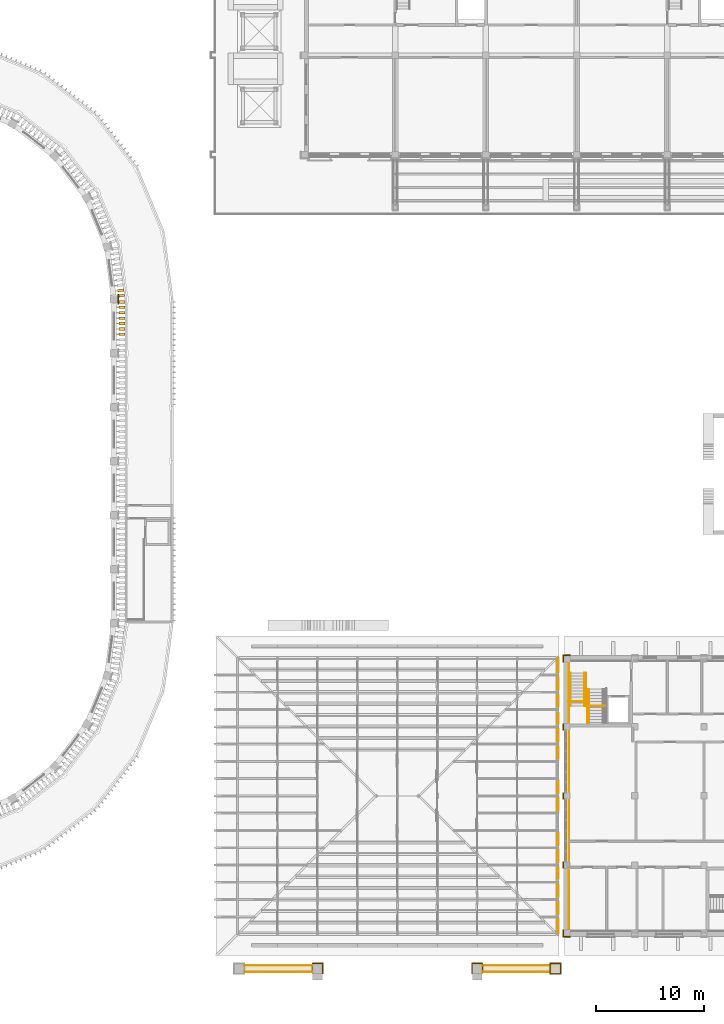
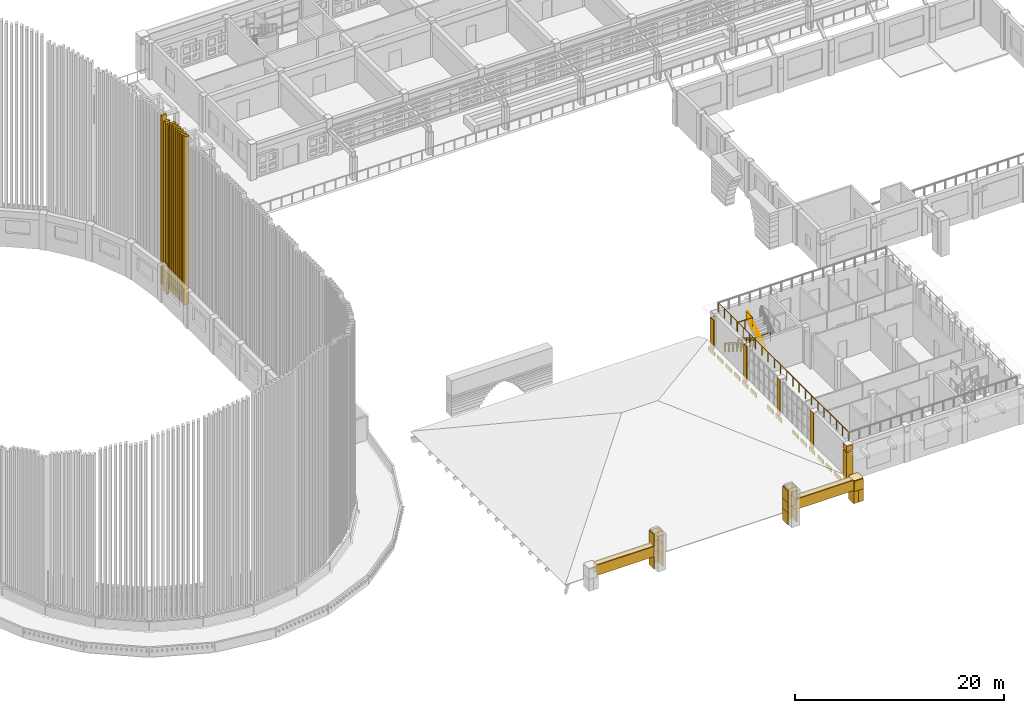
# One storey, part 55 of 68: 46 coverings, 9 railings.
"""IFC4 building model written with IfcOpenShell, lengths in metres."""

from ifc_helpers import new_model, si_unit, direction, frame, origin, origin_2d, place, context, subcontext, project, spatial, polyline, rectangle, circle, outline, extrude, material, layer, layer_set, type_object, element, save


model = new_model("IFC4")

# Units and contexts
model_context = context("Model", 3, precision=1e-05, world=origin(), true_north=direction((0.0, 1.0)))
body_context = subcontext(model_context, "Body", "Model", "MODEL_VIEW")
ifc_project = project(units=[si_unit("LENGTHUNIT", "METRE"), si_unit("AREAUNIT", "SQUARE_METRE"), si_unit("VOLUMEUNIT", "CUBIC_METRE"), si_unit("PLANEANGLEUNIT", "RADIAN"), si_unit("MASSUNIT", "GRAM", prefix="KILO")], contexts=[model_context])

# Site, building, storey
site_placement = place(None, origin())
site = spatial("IfcSite", under=ifc_project, at=site_placement, CompositionType="ELEMENT")
building_placement = place(site_placement, origin())
building = spatial("IfcBuilding", under=site, at=building_placement, Name="Wasatch Bagh Community Centre", CompositionType="ELEMENT")
storey_placement = place(building_placement, frame((0.0, 0.0, 8.39990234375)))
storey = spatial("IfcBuildingStorey", under=building, at=storey_placement, Name="L02", CompositionType="ELEMENT", Elevation=8.39990234375)

# Coverings
ifc_material_1 = material(Name="Cast stone cladding", Category="masonry")
ifc_layer_1 = layer(ifc_material_1, 0.080078125)
ifc_layer_set_1 = layer_set([ifc_layer_1], Name="Cast stone cladding")
covering_type_1 = type_object("IfcCoveringType", Name="CL-B7 beam facing", PredefinedType="CLADDING", material=ifc_layer_set_1)
covering_1_placement = place(storey_placement, origin())
element("IfcCovering", 1, at=covering_1_placement, inside=storey, type_object=covering_type_1, Name="Beam facing", PredefinedType="CLADDING", context=body_context, shape_type="SweptSolid", body=[
    extrude(outline(polyline([(95.864990234375, 6.26611328125), (95.864990234375, 7.561279296875), (95.945068359375, 7.561279296875), (95.945068359375, 6.26611328125), (95.864990234375, 6.26611328125)])), origin(), (0.0, 0.0, 1.0), 0.457275390625),
])
covering_2_placement = place(storey_placement, origin())
element("IfcCovering", 2, at=covering_2_placement, inside=storey, type_object=covering_type_1, Name="Beam facing", PredefinedType="CLADDING", context=body_context, shape_type="SweptSolid", body=[
    extrude(outline(polyline([(95.864990234375, 8.03857421875), (95.864990234375, 9.161376953125), (95.945068359375, 9.161376953125), (95.945068359375, 8.03857421875), (95.864990234375, 8.03857421875)])), origin(), (0.0, 0.0, 1.0), 0.457275390625),
])
covering_3_placement = place(storey_placement, origin())
element("IfcCovering", 3, at=covering_3_placement, inside=storey, type_object=covering_type_1, Name="Beam facing", PredefinedType="CLADDING", context=body_context, shape_type="SweptSolid", body=[
    extrude(outline(polyline([(95.864990234375, 9.638671875), (95.864990234375, 10.761474609375), (95.945068359375, 10.761474609375), (95.945068359375, 9.638671875), (95.864990234375, 9.638671875)])), origin(), (0.0, 0.0, 1.0), 0.457275390625),
])
covering_4_placement = place(storey_placement, origin())
element("IfcCovering", 4, at=covering_4_placement, inside=storey, type_object=covering_type_1, Name="Beam facing", PredefinedType="CLADDING", context=body_context, shape_type="SweptSolid", body=[
    extrude(outline(polyline([(95.864990234375, 11.320068359375), (95.864990234375, 12.361328125), (95.945068359375, 12.361328125), (95.945068359375, 11.320068359375), (95.864990234375, 11.320068359375)])), origin(), (0.0, 0.0, 1.0), 0.457275390625),
])
covering_5_placement = place(storey_placement, origin())
element("IfcCovering", 5, at=covering_5_placement, inside=storey, type_object=covering_type_1, Name="Beam facing", PredefinedType="CLADDING", context=body_context, shape_type="SweptSolid", body=[
    extrude(outline(polyline([(95.864990234375, 12.838623046875), (95.864990234375, 13.96142578125), (95.945068359375, 13.96142578125), (95.945068359375, 12.838623046875), (95.864990234375, 12.838623046875)])), origin(), (0.0, 0.0, 1.0), 0.457275390625),
])
covering_6_placement = place(storey_placement, origin())
element("IfcCovering", 6, at=covering_6_placement, inside=storey, type_object=covering_type_1, Name="Beam facing", PredefinedType="CLADDING", context=body_context, shape_type="SweptSolid", body=[
    extrude(outline(polyline([(95.864990234375, 14.438720703125), (95.864990234375, 15.561279296875), (95.945068359375, 15.561279296875), (95.945068359375, 14.438720703125), (95.864990234375, 14.438720703125)])), origin(), (0.0, 0.0, 1.0), 0.457275390625),
])
covering_7_placement = place(storey_placement, origin())
element("IfcCovering", 7, at=covering_7_placement, inside=storey, type_object=covering_type_1, Name="Beam facing", PredefinedType="CLADDING", context=body_context, shape_type="SweptSolid", body=[
    extrude(outline(polyline([(95.864990234375, 17.638671875), (95.864990234375, 18.761474609375), (95.945068359375, 18.761474609375), (95.945068359375, 17.638671875), (95.864990234375, 17.638671875)])), origin(), (0.0, 0.0, 1.0), 0.457275390625),
])
covering_8_placement = place(storey_placement, origin())
element("IfcCovering", 8, at=covering_8_placement, inside=storey, type_object=covering_type_1, Name="Beam facing", PredefinedType="CLADDING", context=body_context, shape_type="SweptSolid", body=[
    extrude(outline(polyline([(95.864990234375, 19.238525390625), (95.864990234375, 20.361328125), (95.945068359375, 20.361328125), (95.945068359375, 19.238525390625), (95.864990234375, 19.238525390625)])), origin(), (0.0, 0.0, 1.0), 0.457275390625),
])
covering_9_placement = place(storey_placement, origin())
element("IfcCovering", 9, at=covering_9_placement, inside=storey, type_object=covering_type_1, Name="Beam facing", PredefinedType="CLADDING", context=body_context, shape_type="SweptSolid", body=[
    extrude(outline(polyline([(95.864990234375, 22.438720703125), (95.864990234375, 23.561279296875), (95.945068359375, 23.561279296875), (95.945068359375, 22.438720703125), (95.864990234375, 22.438720703125)])), origin(), (0.0, 0.0, 1.0), 0.457275390625),
])
covering_10_placement = place(storey_placement, origin())
element("IfcCovering", 10, at=covering_10_placement, inside=storey, type_object=covering_type_1, Name="Beam facing", PredefinedType="CLADDING", context=body_context, shape_type="SweptSolid", body=[
    extrude(outline(polyline([(95.864990234375, 24.03857421875), (95.864990234375, 25.161376953125), (95.945068359375, 25.161376953125), (95.945068359375, 24.03857421875), (95.864990234375, 24.03857421875)])), origin(), (0.0, 0.0, 1.0), 0.457275390625),
])
covering_11_placement = place(storey_placement, origin())
element("IfcCovering", 11, at=covering_11_placement, inside=storey, type_object=covering_type_1, Name="Beam facing", PredefinedType="CLADDING", context=body_context, shape_type="SweptSolid", body=[
    extrude(outline(polyline([(95.864990234375, 25.638671875), (95.864990234375, 26.679931640625), (95.945068359375, 26.679931640625), (95.945068359375, 25.638671875), (95.864990234375, 25.638671875)])), origin(), (0.0, 0.0, 1.0), 0.457275390625),
])
covering_12_placement = place(storey_placement, origin())
element("IfcCovering", 12, at=covering_12_placement, inside=storey, type_object=covering_type_1, Name="Beam facing", PredefinedType="CLADDING", context=body_context, shape_type="SweptSolid", body=[
    extrude(outline(polyline([(95.864990234375, 27.238525390625), (95.864990234375, 28.361328125), (95.945068359375, 28.361328125), (95.945068359375, 27.238525390625), (95.864990234375, 27.238525390625)])), origin(), (0.0, 0.0, 1.0), 0.457275390625),
])
covering_13_placement = place(storey_placement, origin())
element("IfcCovering", 13, at=covering_13_placement, inside=storey, type_object=covering_type_1, Name="Beam facing", PredefinedType="CLADDING", context=body_context, shape_type="SweptSolid", body=[
    extrude(outline(polyline([(95.864990234375, 28.838623046875), (95.864990234375, 29.96142578125), (95.945068359375, 29.96142578125), (95.945068359375, 28.838623046875), (95.864990234375, 28.838623046875)])), origin(), (0.0, 0.0, 1.0), 0.457275390625),
])
covering_14_placement = place(storey_placement, origin())
element("IfcCovering", 14, at=covering_14_placement, inside=storey, type_object=covering_type_1, Name="Beam facing", PredefinedType="CLADDING", context=body_context, shape_type="SweptSolid", body=[
    extrude(outline(polyline([(95.864990234375, 30.438720703125), (95.864990234375, 31.73388671875), (95.945068359375, 31.73388671875), (95.945068359375, 30.438720703125), (95.864990234375, 30.438720703125)])), origin(), (0.0, 0.0, 1.0), 0.457275390625),
])
covering_15_placement = place(storey_placement, frame((0.0, 0.0, 1.400146484375)))
element("IfcCovering", 15, at=covering_15_placement, inside=storey, type_object=covering_type_1, Name="Beam facing", PredefinedType="CLADDING", context=body_context, shape_type="SweptSolid", body=[
    extrude(outline(polyline([(66.800048828125, 3.25), (73.14990234375, 3.25), (73.14990234375, 3.330078125), (66.800048828125, 3.330078125), (66.800048828125, 3.25)])), origin(), (0.0, 0.0, 1.0), 1.199951171875),
])
covering_16_placement = place(storey_placement, frame((0.0, 0.0, 1.400146484375)))
element("IfcCovering", 16, at=covering_16_placement, inside=storey, type_object=covering_type_1, Name="Beam facing", PredefinedType="CLADDING", context=body_context, shape_type="SweptSolid", body=[
    extrude(outline(polyline([(66.800048828125, 2.75), (73.14990234375, 2.75), (73.14990234375, 2.669921875), (66.800048828125, 2.669921875), (66.800048828125, 2.75)])), origin(), (0.0, 0.0, 1.0), 1.199951171875),
])
covering_17_placement = place(storey_placement, frame((0.0, 0.0, 2.60009765625)))
element("IfcCovering", 17, at=covering_17_placement, inside=storey, type_object=covering_type_1, Name="Beam facing", PredefinedType="CLADDING", context=body_context, shape_type="SweptSolid", body=[
    extrude(outline(polyline([(66.800048828125, 2.669921875), (73.14990234375, 2.669921875), (73.14990234375, 3.330078125), (66.800048828125, 3.330078125), (66.800048828125, 2.669921875)])), origin(), (0.0, 0.0, 1.0), 0.080078125),
])
covering_18_placement = place(storey_placement, frame((0.0, 0.0, 1.400146484375)))
element("IfcCovering", 18, at=covering_18_placement, inside=storey, type_object=covering_type_1, Name="Beam facing", PredefinedType="CLADDING", context=body_context, shape_type="SweptSolid", body=[
    extrude(outline(polyline([(88.85009765625, 3.25), (95.199951171875, 3.25), (95.199951171875, 3.330078125), (88.85009765625, 3.330078125), (88.85009765625, 3.25)])), origin(), (0.0, 0.0, 1.0), 1.199951171875),
])
covering_19_placement = place(storey_placement, frame((0.0, 0.0, 1.400146484375)))
element("IfcCovering", 19, at=covering_19_placement, inside=storey, type_object=covering_type_1, Name="Beam facing", PredefinedType="CLADDING", context=body_context, shape_type="SweptSolid", body=[
    extrude(outline(polyline([(88.85009765625, 2.75), (95.199951171875, 2.75), (95.199951171875, 2.669921875), (88.85009765625, 2.669921875), (88.85009765625, 2.75)])), origin(), (0.0, 0.0, 1.0), 1.199951171875),
])
covering_20_placement = place(storey_placement, frame((0.0, 0.0, 2.60009765625)))
element("IfcCovering", 20, at=covering_20_placement, inside=storey, type_object=covering_type_1, Name="Beam facing", PredefinedType="CLADDING", context=body_context, shape_type="SweptSolid", body=[
    extrude(outline(polyline([(88.85009765625, 2.669921875), (95.199951171875, 2.669921875), (95.199951171875, 3.330078125), (88.85009765625, 3.330078125), (88.85009765625, 2.669921875)])), origin(), (0.0, 0.0, 1.0), 0.080078125),
])
ifc_layer_2 = layer(ifc_material_1, 0.080078125)
ifc_layer_set_2 = layer_set([ifc_layer_2], Name="Cast stone cladding")
covering_type_2 = type_object("IfcCoveringType", Name="CL-C1 column facing", PredefinedType="CLADDING", material=ifc_layer_set_2)
covering_21_placement = place(storey_placement, origin())
element("IfcCovering", 21, at=covering_21_placement, inside=storey, type_object=covering_type_2, Name="Column facing", PredefinedType="CLADDING", context=body_context, shape_type="SweptSolid", body=[
    extrude(outline(polyline([(73.070068359375, 2.550048828125), (73.070068359375, 3.530029296875), (74.1298828125, 3.530029296875), (74.1298828125, 2.550048828125), (74.050048828125, 2.550048828125), (74.050048828125, 3.449951171875), (73.14990234375, 3.449951171875), (73.14990234375, 2.550048828125), (73.070068359375, 2.550048828125)])), origin(), (0.0, 0.0, 1.0), 1.400146484375),
])
covering_22_placement = place(storey_placement, frame((0.0, 0.0, 1.400146484375)))
element("IfcCovering", 22, at=covering_22_placement, inside=storey, type_object=covering_type_2, Name="Column facing", PredefinedType="CLADDING", context=body_context, shape_type="SweptSolid", body=[
    extrude(outline(polyline([(74.050048828125, 3.449951171875), (73.14990234375, 3.449951171875), (73.14990234375, 3.530029296875), (74.1298828125, 3.530029296875), (74.1298828125, 2.550048828125), (74.050048828125, 2.550048828125), (74.050048828125, 3.449951171875)])), origin(), (0.0, 0.0, 1.0), 1.199951171875),
])
covering_23_placement = place(storey_placement, frame((0.0, 0.0, 2.60009765625)))
element("IfcCovering", 23, at=covering_23_placement, inside=storey, type_object=covering_type_2, Name="Column facing", PredefinedType="CLADDING", context=body_context, shape_type="SweptSolid", body=[
    extrude(outline(polyline([(73.070068359375, 2.550048828125), (73.070068359375, 3.530029296875), (74.1298828125, 3.530029296875), (74.1298828125, 2.550048828125), (74.050048828125, 2.550048828125), (74.050048828125, 3.449951171875), (73.14990234375, 3.449951171875), (73.14990234375, 2.550048828125), (73.070068359375, 2.550048828125)])), origin(), (0.0, 0.0, 1.0), 1.39990234375),
])
covering_24_placement = place(storey_placement, origin())
element("IfcCovering", 24, at=covering_24_placement, inside=storey, type_object=covering_type_2, Name="Column facing", PredefinedType="CLADDING", context=body_context, shape_type="SweptSolid", body=[
    extrude(outline(polyline([(87.8701171875, 2.550048828125), (87.8701171875, 3.530029296875), (88.929931640625, 3.530029296875), (88.929931640625, 2.550048828125), (88.85009765625, 2.550048828125), (88.85009765625, 3.449951171875), (87.949951171875, 3.449951171875), (87.949951171875, 2.550048828125), (87.8701171875, 2.550048828125)])), origin(), (0.0, 0.0, 1.0), 1.400146484375),
])
covering_25_placement = place(storey_placement, frame((0.0, 0.0, 1.400146484375)))
element("IfcCovering", 25, at=covering_25_placement, inside=storey, type_object=covering_type_2, Name="Column facing", PredefinedType="CLADDING", context=body_context, shape_type="SweptSolid", body=[
    extrude(outline(polyline([(87.949951171875, 2.550048828125), (87.8701171875, 2.550048828125), (87.8701171875, 3.530029296875), (88.85009765625, 3.530029296875), (88.85009765625, 3.449951171875), (87.949951171875, 3.449951171875), (87.949951171875, 2.550048828125)])), origin(), (0.0, 0.0, 1.0), 1.199951171875),
])
covering_26_placement = place(storey_placement, frame((0.0, 0.0, 2.60009765625)))
element("IfcCovering", 26, at=covering_26_placement, inside=storey, type_object=covering_type_2, Name="Column facing", PredefinedType="CLADDING", context=body_context, shape_type="SweptSolid", body=[
    extrude(outline(polyline([(87.8701171875, 2.550048828125), (87.8701171875, 3.530029296875), (88.929931640625, 3.530029296875), (88.929931640625, 2.550048828125), (88.85009765625, 2.550048828125), (88.85009765625, 3.449951171875), (87.949951171875, 3.449951171875), (87.949951171875, 2.550048828125), (87.8701171875, 2.550048828125)])), origin(), (0.0, 0.0, 1.0), 1.39990234375),
])
covering_27_placement = place(storey_placement, origin())
element("IfcCovering", 27, at=covering_27_placement, inside=storey, type_object=covering_type_2, Name="Column facing", PredefinedType="CLADDING", context=body_context, shape_type="SweptSolid", body=[
    extrude(outline(polyline([(95.64990234375, 3.530029296875), (95.64990234375, 3.449951171875), (95.199951171875, 3.449951171875), (95.199951171875, 2.550048828125), (95.64990234375, 2.550048828125), (95.64990234375, 2.469970703125), (95.1201171875, 2.469970703125), (95.1201171875, 3.530029296875), (95.64990234375, 3.530029296875)])), origin(), (0.0, 0.0, 1.0), 1.400146484375),
])
covering_28_placement = place(storey_placement, origin())
element("IfcCovering", 28, at=covering_28_placement, inside=storey, type_object=covering_type_2, Name="Column facing", PredefinedType="CLADDING", context=body_context, shape_type="SweptSolid", body=[
    extrude(outline(polyline([(96.179931640625, 3.530029296875), (96.179931640625, 2.469970703125), (95.64990234375, 2.469970703125), (95.64990234375, 2.550048828125), (96.10009765625, 2.550048828125), (96.10009765625, 3.449951171875), (95.64990234375, 3.449951171875), (95.64990234375, 3.530029296875), (96.179931640625, 3.530029296875)])), origin(), (0.0, 0.0, 1.0), 1.400146484375),
])
covering_29_placement = place(storey_placement, frame((0.0, 0.0, 1.400146484375)))
element("IfcCovering", 29, at=covering_29_placement, inside=storey, type_object=covering_type_2, Name="Column facing", PredefinedType="CLADDING", context=body_context, shape_type="SweptSolid", body=[
    extrude(outline(polyline([(96.179931640625, 2.469970703125), (95.199951171875, 2.469970703125), (95.199951171875, 2.550048828125), (96.10009765625, 2.550048828125), (96.10009765625, 3.449951171875), (95.199951171875, 3.449951171875), (95.199951171875, 3.530029296875), (96.179931640625, 3.530029296875), (96.179931640625, 2.469970703125)])), origin(), (0.0, 0.0, 1.0), 1.199951171875),
])
covering_30_placement = place(storey_placement, frame((0.0, 0.0, 2.60009765625)))
element("IfcCovering", 30, at=covering_30_placement, inside=storey, type_object=covering_type_2, Name="Column facing", PredefinedType="CLADDING", context=body_context, shape_type="SweptSolid", body=[
    extrude(outline(polyline([(96.10009765625, 2.469970703125), (95.199951171875, 2.469970703125), (95.199951171875, 2.550048828125), (95.1201171875, 2.550048828125), (95.1201171875, 3.449951171875), (95.199951171875, 3.449951171875), (95.199951171875, 3.530029296875), (96.10009765625, 3.530029296875), (96.10009765625, 3.449951171875), (96.179931640625, 3.449951171875), (96.179931640625, 2.550048828125), (96.10009765625, 2.550048828125), (96.10009765625, 2.469970703125)])), origin(), (0.0, 0.0, 1.0), 0.080078125),
])
covering_31_placement = place(storey_placement, origin())
element("IfcCovering", 31, at=covering_31_placement, inside=storey, type_object=covering_type_2, Name="Column facing", PredefinedType="CLADDING", context=body_context, shape_type="SweptSolid", body=[
    extrude(outline(polyline([(96.320068359375, 5.919921875), (96.320068359375, 6.60009765625), (96.39990234375, 6.60009765625), (96.39990234375, 6.0), (97.0, 6.0), (97.0, 5.919921875), (96.320068359375, 5.919921875)])), origin(), (0.0, 0.0, 1.0), 3.4501953125),
])
covering_32_placement = place(storey_placement, frame((0.0, 0.0, 3.60009765625)))
element("IfcCovering", 32, at=covering_32_placement, inside=storey, type_object=covering_type_2, Name="Column facing", PredefinedType="CLADDING", context=body_context, shape_type="SweptSolid", body=[
    extrude(outline(polyline([(96.320068359375, 5.919921875), (96.320068359375, 6.60009765625), (96.39990234375, 6.60009765625), (96.39990234375, 6.0), (97.0, 6.0), (97.0, 5.919921875), (96.320068359375, 5.919921875)])), origin(), (0.0, 0.0, 1.0), 0.60009765625),
])
covering_33_placement = place(storey_placement, origin())
element("IfcCovering", 33, at=covering_33_placement, inside=storey, type_object=covering_type_2, Name="Column facing", PredefinedType="CLADDING", context=body_context, shape_type="SweptSolid", body=[
    extrude(outline(polyline([(96.39990234375, 12.89990234375), (96.39990234375, 12.300048828125), (96.320068359375, 12.300048828125), (96.320068359375, 12.89990234375), (96.39990234375, 12.89990234375)])), origin(), (0.0, 0.0, 1.0), 4.2001953125),
])
covering_34_placement = place(storey_placement, origin())
element("IfcCovering", 34, at=covering_34_placement, inside=storey, type_object=covering_type_2, Name="Column facing", PredefinedType="CLADDING", context=body_context, shape_type="SweptSolid", body=[
    extrude(outline(polyline([(96.39990234375, 19.300048828125), (96.39990234375, 18.699951171875), (96.320068359375, 18.699951171875), (96.320068359375, 19.300048828125), (96.39990234375, 19.300048828125)])), origin(), (0.0, 0.0, 1.0), 4.2001953125),
])
covering_35_placement = place(storey_placement, origin())
element("IfcCovering", 35, at=covering_35_placement, inside=storey, type_object=covering_type_2, Name="Column facing", PredefinedType="CLADDING", context=body_context, shape_type="SweptSolid", body=[
    extrude(outline(polyline([(96.39990234375, 25.699951171875), (96.39990234375, 25.10009765625), (96.320068359375, 25.10009765625), (96.320068359375, 25.699951171875), (96.39990234375, 25.699951171875)])), origin(), (0.0, 0.0, 1.0), 4.2001953125),
])
covering_36_placement = place(storey_placement, origin())
element("IfcCovering", 36, at=covering_36_placement, inside=storey, type_object=covering_type_2, Name="Column facing", PredefinedType="CLADDING", context=body_context, shape_type="SweptSolid", body=[
    extrude(outline(polyline([(96.39990234375, 31.39990234375), (96.320068359375, 31.39990234375), (96.320068359375, 32.080078125), (97.0, 32.080078125), (97.0, 32.0), (96.39990234375, 32.0), (96.39990234375, 31.39990234375)])), origin(), (0.0, 0.0, 1.0), 3.4501953125),
])

# Railings
ifc_material_2 = material(Name="ASTM A36 steel", Category="steel")
railing_type_1 = type_object("IfcRailingType", Name="KW guard", PredefinedType="GUARDRAIL", material=ifc_material_2)
for number, where, name in (
    (37, (98.469970703125, 30.39990234375, 0.175048828125), "GUARD ST4"),
    (38, (96.929931640625, 30.39990234375, 0.175048828125), "GUARD ST4"),
):
    element("IfcRailing", number, at=place(storey_placement, frame(where)), inside=storey, type_object=railing_type_1, Name=name, PredefinedType="GUARDRAIL", context=body_context, shape_type="SweptSolid", body=[
        extrude(circle(Radius=0.02392578125, at=origin_2d()), frame((0.0, 0.0, 1.076171875), z_axis=(0.0, -0.847979421464, 0.530029150871), x_axis=(1.0, 0.0, 0.0)), (0.0, 0.0, 1.0), 3.632080078125),
        extrude(circle(Radius=0.02099609375, at=origin_2d()), origin(), (0.0, 0.0, 1.0), 1.052001953125),
        extrude(circle(Radius=0.02099609375, at=origin_2d()), frame((0.0, -0.77001953125, 0.481201171875)), (0.0, 0.0, 1.0), 1.052001953125),
        extrude(circle(Radius=0.02099609375, at=origin_2d()), frame((0.0, -1.5400390625, 0.96240234375)), (0.0, 0.0, 1.0), 1.052001953125),
        extrude(circle(Radius=0.02099609375, at=origin_2d()), frame((0.0, -2.309814453125, 1.44384765625)), (0.0, 0.0, 1.0), 1.052001953125),
        extrude(circle(Radius=0.02099609375, at=origin_2d()), frame((0.0, -3.079833984375, 1.925048828125)), (0.0, 0.0, 1.0), 1.052001953125),
    ])
railing_1_placement = place(storey_placement, frame((98.6298828125, 25.800048828125, 2.275146484375)))
element("IfcRailing", 39, at=railing_1_placement, inside=storey, type_object=railing_type_1, Name="GUARD ST4", PredefinedType="GUARDRAIL", context=body_context, shape_type="SweptSolid", body=[
    extrude(circle(Radius=0.02392578125, at=origin_2d()), frame((0.0, 0.0, 1.076171875), z_axis=(0.0, 0.847979421464, 0.530029150871), x_axis=(-1.0, 0.0, 0.0)), (0.0, 0.0, 1.0), 3.632080078125),
    extrude(circle(Radius=0.02099609375, at=origin_2d()), origin(), (0.0, 0.0, 1.0), 1.052001953125),
    extrude(circle(Radius=0.02099609375, at=origin_2d()), frame((0.0, 0.77001953125, 0.481201171875)), (0.0, 0.0, 1.0), 1.052001953125),
    extrude(circle(Radius=0.02099609375, at=origin_2d()), frame((0.0, 1.5400390625, 0.96240234375)), (0.0, 0.0, 1.0), 1.052001953125),
    extrude(circle(Radius=0.02099609375, at=origin_2d()), frame((0.0, 2.309814453125, 1.44384765625)), (0.0, 0.0, 1.0), 1.052001953125),
    extrude(circle(Radius=0.02099609375, at=origin_2d()), frame((0.0, 3.079833984375, 1.925048828125)), (0.0, 0.0, 1.0), 1.052001953125),
])
railing_2_placement = place(storey_placement, frame((98.550048828125, 27.340087890625, 2.10009765625)))
element("IfcRailing", 40, at=railing_2_placement, inside=storey, type_object=railing_type_1, Name="GUARD ST4", PredefinedType="GUARDRAIL", context=body_context, shape_type="SweptSolid", body=[
    extrude(circle(Radius=0.02392578125, at=origin_2d()), frame((0.0, 0.0, 1.076171875), z_axis=(1.0, 0.0, 0.0), x_axis=(0.0, 1.0, 0.0)), (0.0, 0.0, 1.0), 1.699951171875),
    extrude(circle(Radius=0.02099609375, at=origin_2d()), origin(), (0.0, 0.0, 1.0), 1.052001953125),
    extrude(circle(Radius=0.02099609375, at=origin_2d()), frame((0.85009765625, 0.0, 0.0)), (0.0, 0.0, 1.0), 1.052001953125),
    extrude(circle(Radius=0.02099609375, at=origin_2d()), frame((1.699951171875, 0.0, 0.0)), (0.0, 0.0, 1.0), 1.052001953125),
])
railing_3_placement = place(storey_placement, frame((96.85009765625, 27.738037109375, 4.2001953125)))
element("IfcRailing", 41, at=railing_3_placement, inside=storey, type_object=railing_type_1, Name="GUARD ST4", PredefinedType="GUARDRAIL", context=body_context, shape_type="SweptSolid", body=[
    extrude(circle(Radius=0.02392578125, at=origin_2d()), frame((0.0, 0.0, 1.076171875), z_axis=(1.0, 0.0, 0.0), x_axis=(0.0, 1.0, 0.0)), (0.0, 0.0, 1.0), 1.64990234375),
    extrude(circle(Radius=0.02392578125, at=origin_2d()), frame((1.64990234375, 0.0, 1.076171875), z_axis=(0.0, 1.0, 0.0), x_axis=(-1.0, 0.0, 0.0)), (0.0, 0.0, 1.0), 1.19189453125),
    extrude(circle(Radius=0.02099609375, at=origin_2d()), origin(), (0.0, 0.0, 1.0), 1.052001953125),
    extrude(circle(Radius=0.02099609375, at=origin_2d()), frame((0.824951171875, 0.0, 0.0)), (0.0, 0.0, 1.0), 1.052001953125),
    extrude(circle(Radius=0.02099609375, at=origin_2d()), frame((1.64990234375, 0.0, 0.0)), (0.0, 0.0, 1.0), 1.052001953125),
    extrude(circle(Radius=0.02099609375, at=origin_2d()), frame((1.64990234375, 1.19189453125, 0.0)), (0.0, 0.0, 1.0), 1.052001953125),
])
railing_4_placement = place(storey_placement, frame((96.89990234375, 31.5, 4.2001953125)))
element("IfcRailing", 42, at=railing_4_placement, inside=storey, type_object=railing_type_1, Name="GUARD roof garden", PredefinedType="GUARDRAIL", context=body_context, shape_type="SweptSolid", body=[
    extrude(circle(Radius=0.02392578125, at=origin_2d()), frame((0.0, 0.0, 1.076171875), z_axis=(0.0, -1.0, 0.0), x_axis=(1.0, 0.0, 0.0)), (0.0, 0.0, 1.0), 25.0),
    extrude(circle(Radius=0.02099609375, at=origin_2d()), origin(), (0.0, 0.0, 1.0), 1.052001953125),
    extrude(circle(Radius=0.02099609375, at=origin_2d()), frame((0.0, -1.1904296875, 0.0)), (0.0, 0.0, 1.0), 1.052001953125),
    extrude(circle(Radius=0.02099609375, at=origin_2d()), frame((0.0, -2.380859375, 0.0)), (0.0, 0.0, 1.0), 1.052001953125),
    extrude(circle(Radius=0.02099609375, at=origin_2d()), frame((0.0, -3.571533203125, 0.0)), (0.0, 0.0, 1.0), 1.052001953125),
    extrude(circle(Radius=0.02099609375, at=origin_2d()), frame((0.0, -4.761962890625, 0.0)), (0.0, 0.0, 1.0), 1.052001953125),
    extrude(circle(Radius=0.02099609375, at=origin_2d()), frame((0.0, -5.952392578125, 0.0)), (0.0, 0.0, 1.0), 1.052001953125),
    extrude(circle(Radius=0.02099609375, at=origin_2d()), frame((0.0, -7.142822265625, 0.0)), (0.0, 0.0, 1.0), 1.052001953125),
    extrude(circle(Radius=0.02099609375, at=origin_2d()), frame((0.0, -8.333251953125, 0.0)), (0.0, 0.0, 1.0), 1.052001953125),
    extrude(circle(Radius=0.02099609375, at=origin_2d()), frame((0.0, -9.52392578125, 0.0)), (0.0, 0.0, 1.0), 1.052001953125),
    extrude(circle(Radius=0.02099609375, at=origin_2d()), frame((0.0, -10.71435546875, 0.0)), (0.0, 0.0, 1.0), 1.052001953125),
    extrude(circle(Radius=0.02099609375, at=origin_2d()), frame((0.0, -11.90478515625, 0.0)), (0.0, 0.0, 1.0), 1.052001953125),
    extrude(circle(Radius=0.02099609375, at=origin_2d()), frame((0.0, -13.09521484375, 0.0)), (0.0, 0.0, 1.0), 1.052001953125),
    extrude(circle(Radius=0.02099609375, at=origin_2d()), frame((0.0, -14.28564453125, 0.0)), (0.0, 0.0, 1.0), 1.052001953125),
    extrude(circle(Radius=0.02099609375, at=origin_2d()), frame((0.0, -15.47607421875, 0.0)), (0.0, 0.0, 1.0), 1.052001953125),
    extrude(circle(Radius=0.02099609375, at=origin_2d()), frame((0.0, -16.666748046875, 0.0)), (0.0, 0.0, 1.0), 1.052001953125),
    extrude(circle(Radius=0.02099609375, at=origin_2d()), frame((0.0, -17.857177734375, 0.0)), (0.0, 0.0, 1.0), 1.052001953125),
    extrude(circle(Radius=0.02099609375, at=origin_2d()), frame((0.0, -19.047607421875, 0.0)), (0.0, 0.0, 1.0), 1.052001953125),
    extrude(circle(Radius=0.02099609375, at=origin_2d()), frame((0.0, -20.238037109375, 0.0)), (0.0, 0.0, 1.0), 1.052001953125),
    extrude(circle(Radius=0.02099609375, at=origin_2d()), frame((0.0, -21.428466796875, 0.0)), (0.0, 0.0, 1.0), 1.052001953125),
    extrude(circle(Radius=0.02099609375, at=origin_2d()), frame((0.0, -22.619140625, 0.0)), (0.0, 0.0, 1.0), 1.052001953125),
    extrude(circle(Radius=0.02099609375, at=origin_2d()), frame((0.0, -23.8095703125, 0.0)), (0.0, 0.0, 1.0), 1.052001953125),
    extrude(circle(Radius=0.02099609375, at=origin_2d()), frame((0.0, -25.0, 0.0)), (0.0, 0.0, 1.0), 1.052001953125),
])
railing_type_2 = type_object("IfcRailingType", Name="KW handrail", PredefinedType="HANDRAIL", material=ifc_material_2)
for number, where, name in (
    (43, (98.35009765625, 30.39990234375, 0.175048828125), "HANDRAIL ST4"),
    (44, (97.050048828125, 30.39990234375, 0.175048828125), "HANDRAIL ST4"),
):
    element("IfcRailing", number, at=place(storey_placement, frame(where)), inside=storey, type_object=railing_type_2, Name=name, PredefinedType="HANDRAIL", context=body_context, shape_type="SweptSolid", body=[
        extrude(circle(Radius=0.02392578125, at=origin_2d()), frame((0.0, 0.0, 0.8759765625), z_axis=(0.0, -0.847979421464, 0.530029150871), x_axis=(1.0, 0.0, 0.0)), (0.0, 0.0, 1.0), 3.632080078125),
        extrude(circle(Radius=0.02099609375, at=origin_2d()), origin(), (0.0, 0.0, 1.0), 0.851806640625),
        extrude(circle(Radius=0.02099609375, at=origin_2d()), frame((0.0, -0.77001953125, 0.481201171875)), (0.0, 0.0, 1.0), 0.851806640625),
        extrude(circle(Radius=0.02099609375, at=origin_2d()), frame((0.0, -1.5400390625, 0.96240234375)), (0.0, 0.0, 1.0), 0.851806640625),
        extrude(circle(Radius=0.02099609375, at=origin_2d()), frame((0.0, -2.309814453125, 1.44384765625)), (0.0, 0.0, 1.0), 0.851806640625),
        extrude(circle(Radius=0.02099609375, at=origin_2d()), frame((0.0, -3.079833984375, 1.925048828125)), (0.0, 0.0, 1.0), 0.851806640625),
    ])
railing_5_placement = place(storey_placement, frame((98.75, 25.800048828125, 2.275146484375)))
element("IfcRailing", 45, at=railing_5_placement, inside=storey, type_object=railing_type_2, Name="HANDRAIL ST4", PredefinedType="HANDRAIL", context=body_context, shape_type="SweptSolid", body=[
    extrude(circle(Radius=0.02392578125, at=origin_2d()), frame((0.0, 0.0, 0.8759765625), z_axis=(0.0, 0.847979421464, 0.530029150871), x_axis=(-1.0, 0.0, 0.0)), (0.0, 0.0, 1.0), 3.632080078125),
    extrude(circle(Radius=0.02099609375, at=origin_2d()), origin(), (0.0, 0.0, 1.0), 0.851806640625),
    extrude(circle(Radius=0.02099609375, at=origin_2d()), frame((0.0, 0.77001953125, 0.481201171875)), (0.0, 0.0, 1.0), 0.851806640625),
    extrude(circle(Radius=0.02099609375, at=origin_2d()), frame((0.0, 1.5400390625, 0.96240234375)), (0.0, 0.0, 1.0), 0.851806640625),
    extrude(circle(Radius=0.02099609375, at=origin_2d()), frame((0.0, 2.309814453125, 1.44384765625)), (0.0, 0.0, 1.0), 0.851806640625),
    extrude(circle(Radius=0.02099609375, at=origin_2d()), frame((0.0, 3.079833984375, 1.925048828125)), (0.0, 0.0, 1.0), 0.851806640625),
])

# Coverings
ifc_material_3 = material(Name="White precast concrete C40/50", Category="concrete")
ifc_layer_3 = layer(ifc_material_3, 0.10009765625)
ifc_layer_set_3 = layer_set([ifc_layer_3], Name="White precast concrete C40/50")
covering_type_3 = type_object("IfcCoveringType", Name="MH column casing", PredefinedType="CLADDING", material=ifc_layer_set_3)
covering_37_placement = place(storey_placement, frame((55.14990234375, 65.0, 0.800048828125), z_axis=(0.0, 0.0, 1.0), x_axis=(0.0, 1.0, 0.0)))
element("IfcCovering", 46, at=covering_37_placement, inside=storey, type_object=covering_type_3, Name="Column casing E7 L02", PredefinedType="CLADDING", context=body_context, shape_type="SweptSolid", body=[
    extrude(rectangle(XDim=0.89990234375, YDim=0.10009765625, at=origin_2d()), origin(), (0.0, 0.0, 1.0), 3.39990234375),
])
ifc_layer_4 = layer(ifc_material_3, 0.25)
ifc_layer_set_4 = layer_set([ifc_layer_4], Name="White precast concrete C40/50")
covering_type_4 = type_object("IfcCoveringType", Name="MH vertical fin", PredefinedType="CLADDING", material=ifc_layer_set_4)
for number, where, z_axis, x_axis, name in (
    (47, (55.47509765625, 61.75, 1.2998046875), (0.0, 0.0, 1.0), (0.0, 1.0, 0.0), "Fin 18.4"),
    (48, (55.47509765625, 62.25, 1.2998046875), (0.0, 0.0, 1.0), (0.0, 1.0, 0.0), "Fin 18.5"),
    (49, (55.47509765625, 62.75, 1.2998046875), (0.0, 0.0, 1.0), (0.0, 1.0, 0.0), "Fin 18.6"),
    (50, (55.47509765625, 63.25, 1.2998046875), (0.0, 0.0, 1.0), (0.0, 1.0, 0.0), "Fin 18.7"),
    (51, (55.47509765625, 63.75, 1.2998046875), (0.0, 0.0, 1.0), (0.0, 1.0, 0.0), "Fin 18.8"),
    (52, (55.47509765625, 64.25, 1.2998046875), (0.0, 0.0, 1.0), (0.0, 1.0, 0.0), "Fin 18.9"),
):
    element("IfcCovering", number, at=place(storey_placement, frame(where, z_axis=z_axis, x_axis=x_axis)), inside=storey, type_object=covering_type_4, Name=name, PredefinedType="CLADDING", context=body_context, shape_type="SweptSolid", body=[
        extrude(rectangle(XDim=0.25, YDim=0.550048828125, at=origin_2d()), origin(), (0.0, 0.0, 1.0), 19.693115234375),
    ])
covering_38_placement = place(storey_placement, frame((55.47509765625, 64.75, 1.30029296875), z_axis=(0.0, 0.0, 1.0), x_axis=(0.0, 1.0, 0.0)))
element("IfcCovering", 53, at=covering_38_placement, inside=storey, type_object=covering_type_4, Name="Fin 18.10", PredefinedType="CLADDING", context=body_context, shape_type="SweptSolid", body=[
    extrude(rectangle(XDim=0.25, YDim=0.550048828125, at=origin_2d()), origin(), (0.0, 0.0, 1.0), 19.274658203125),
])
covering_39_placement = place(storey_placement, frame((55.436767578125, 65.337158203125, 1.30029296875), z_axis=(0.0, 0.0, 1.0), x_axis=(-0.13052619222, 0.991444861374, 0.0)))
element("IfcCovering", 54, at=covering_39_placement, inside=storey, type_object=covering_type_4, Name="Fin 19.1", PredefinedType="CLADDING", context=body_context, shape_type="SweptSolid", body=[
    extrude(rectangle(XDim=0.25, YDim=0.550048828125, at=origin_2d()), origin(), (0.0, 0.0, 1.0), 19.296630859375),
])
covering_40_placement = place(storey_placement, frame((55.373046875, 65.822509765625, 1.300048828125), z_axis=(0.0, 0.0, 1.0), x_axis=(-0.13052619222, 0.991444861374, 0.0)))
element("IfcCovering", 55, at=covering_40_placement, inside=storey, type_object=covering_type_4, Name="Fin 19.2", PredefinedType="CLADDING", context=body_context, shape_type="SweptSolid", body=[
    extrude(rectangle(XDim=0.25, YDim=0.550048828125, at=origin_2d()), origin(), (0.0, 0.0, 1.0), 19.751953125),
])

save(model, "model.ifc")
